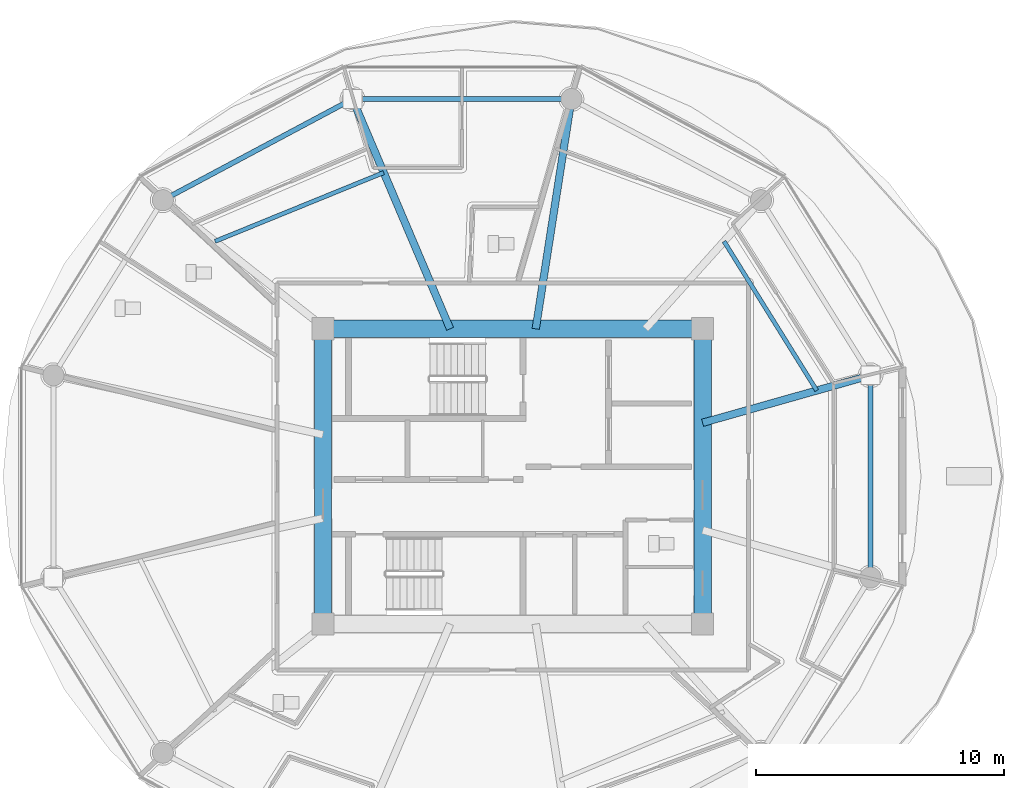
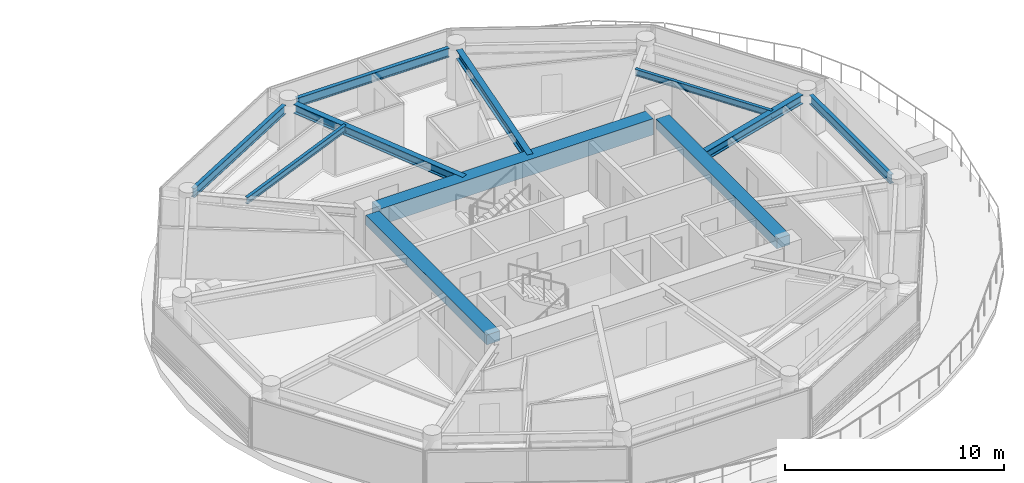
# One storey, part 11 of 32: 11 beams.
"""IFC4 building model written with IfcOpenShell, lengths in metres."""

from ifc_helpers import new_model, si_unit, direction, frame, origin, origin_2d, place, context, subcontext, project, spatial, rectangle, i_section, extrude, source, transform, mapped, material, material_profile, profile_set, type_object, type_shapes, element, save


model = new_model("IFC4")

# Units and contexts
model_context = context("Model", 3, precision=1e-05, world=origin(), true_north=direction((0.0, 1.0)))
body_context = subcontext(model_context, "Body", "Model", "MODEL_VIEW")
ifc_project = project(units=[si_unit("LENGTHUNIT", "METRE"), si_unit("AREAUNIT", "SQUARE_METRE"), si_unit("VOLUMEUNIT", "CUBIC_METRE"), si_unit("PLANEANGLEUNIT", "RADIAN"), si_unit("MASSUNIT", "GRAM", prefix="KILO")], contexts=[model_context])

# Site, building, storey
site_placement = place(None, origin())
site = spatial("IfcSite", under=ifc_project, at=site_placement, CompositionType="ELEMENT")
building_placement = place(site_placement, origin())
building = spatial("IfcBuilding", under=site, at=building_placement, Name="Norrkilde Senior Care Towers", CompositionType="ELEMENT")
storey_placement = place(building_placement, frame((0.0, 0.0, 77.949951171875)))
storey = spatial("IfcBuildingStorey", under=building, at=storey_placement, Name="L23", CompositionType="ELEMENT", Elevation=77.949951171875)

# Beams
ifc_material_1 = material(Name="Concrete C60/75", Category="concrete")
ifc_material_profile_1 = material_profile(ifc_material_1, rectangle(XDim=0.699951171875, YDim=0.89990234375, at=origin_2d()), Name="RC BM 700x900")
ifc_profile_set_1 = profile_set([ifc_material_profile_1], Name="Concrete C60/75")
beam_type_1 = type_object("IfcBeamType", Name="Core Coupling Girder 700x900", PredefinedType="USERDEFINED", material=ifc_profile_set_1)
shared_shape_1 = source(origin(), body_context, "Body", "SweptSolid", [
    extrude(rectangle(XDim=0.699951171875, YDim=0.89990234375, at=origin_2d()), origin(), (0.0, 0.0, 1.0), 14.43994140625),
])
type_shapes(beam_type_1, [shared_shape_1])
beam_1_placement = place(storey_placement, frame((20.780029296875, 5.949951171875, 2.340087890625), z_axis=(1.0, 0.0, 0.0), x_axis=(0.0, 1.0, 0.0)))
element("IfcBeam", 1, at=beam_1_placement, inside=storey, type_object=beam_type_1, Name="L23 Core E N Coupling Girder", ObjectType="GIRDER", PredefinedType="USERDEFINED", context=body_context, shape_type="MappedRepresentation", body=[
    mapped(shared_shape_1, transform((0.0, 0.0, 0.0), x_axis=(1.0, 0.0, 0.0), y_axis=(0.0, 1.0, 0.0), z_axis=(0.0, 0.0, 1.0), scale=1.0)),
])
ifc_material_profile_2 = material_profile(ifc_material_1, rectangle(XDim=0.699951171875, YDim=0.550048828125, at=origin_2d()), Name="RC BM 700x550")
ifc_profile_set_2 = profile_set([ifc_material_profile_2], Name="Concrete C60/75")
beam_type_2 = type_object("IfcBeamType", Name="Core Portal Coupling Beam 700x550", PredefinedType="USERDEFINED", material=ifc_profile_set_2)
shared_shape_2 = source(origin(), body_context, "Body", "SweptSolid", [
    extrude(rectangle(XDim=0.699951171875, YDim=0.550048828125, at=origin_2d()), origin(), (0.0, 0.0, 1.0), 11.0400390625),
])
type_shapes(beam_type_2, [shared_shape_2])
for number, where, z_axis, x_axis, name in (
    (2, (20.35009765625, -5.52001953125, 2.51513671875), (0.0, 1.0, 0.0), (-1.0, 0.0, 0.0), "L23 Core E W Coupling Girder"),
    (3, (35.64990234375, -5.52001953125, 2.51513671875), (0.0, 1.0, 0.0), (-1.0, 0.0, 0.0), "L23 Core E E Coupling Girder"),
):
    element("IfcBeam", number, at=place(storey_placement, frame(where, z_axis=z_axis, x_axis=x_axis)), inside=storey, type_object=beam_type_2, Name=name, ObjectType="GIRDER", PredefinedType="USERDEFINED", context=body_context, shape_type="MappedRepresentation", body=[
        mapped(shared_shape_2, transform((0.0, 0.0, 0.0), x_axis=(1.0, 0.0, 0.0), y_axis=(0.0, 1.0, 0.0), z_axis=(0.0, 0.0, 1.0), scale=1.0)),
    ])
ifc_material_2 = material(Name="Steel S355", Category="steel")
ifc_material_profile_3 = material_profile(ifc_material_2, i_section(OverallWidth=0.199951171875, OverallDepth=0.5, WebThickness=0.01025390625, FlangeThickness=0.01611328125, FilletRadius=0.02099609375, at=origin_2d()), Name="IPE 500")
ifc_profile_set_3 = profile_set([ifc_material_profile_3], Name="Steel S355")
beam_type_3 = type_object("IfcBeamType", Name="Perimeter Ring Spandrel Z2 IPE500", PredefinedType="SPANDREL", material=ifc_profile_set_3)
shared_shape_3 = source(origin(), body_context, "Body", "SweptSolid", [
    extrude(i_section(OverallWidth=0.199951171875, OverallDepth=0.5, WebThickness=0.01025390625, FlangeThickness=0.01611328125, FilletRadius=0.02099609375, at=origin_2d()), origin(), (0.0, 0.0, 1.0), 7.892333984375),
])
beam_2_placement = place(storey_placement, frame((21.197509765625, 15.0322265625, 2.5400390625), z_axis=(-0.882350372282, -0.47059305194, 0.0), x_axis=(0.47059305194, -0.882350372282, 0.0)))
element("IfcBeam", 4, at=beam_2_placement, inside=storey, type_object=beam_type_3, Name="L23 Drum E Perimeter Spandrel 04", PredefinedType="SPANDREL", context=body_context, shape_type="MappedRepresentation", body=[
    mapped(shared_shape_3, transform((0.0, 0.0, 0.0), x_axis=(1.0, 0.0, 0.0), y_axis=(0.0, 1.0, 0.0), z_axis=(0.0, 0.0, 1.0), scale=1.0)),
])
shared_shape_4 = source(origin(), body_context, "Body", "SweptSolid", [
    extrude(i_section(OverallWidth=0.199951171875, OverallDepth=0.5, WebThickness=0.01025390625, FlangeThickness=0.01611328125, FilletRadius=0.02099609375, at=origin_2d()), origin(), (0.0, 0.0, 1.0), 8.0556640625),
])
beam_3_placement = place(storey_placement, frame((29.977783203125, 15.21337890625, 2.5400390625), z_axis=(-1.0, 0.0, 0.0), x_axis=(0.0, -1.0, 0.0)))
element("IfcBeam", 5, at=beam_3_placement, inside=storey, type_object=beam_type_3, Name="L23 Drum E Perimeter Spandrel 03", PredefinedType="SPANDREL", context=body_context, shape_type="MappedRepresentation", body=[
    mapped(shared_shape_4, transform((0.0, 0.0, 0.0), x_axis=(1.0, 0.0, 0.0), y_axis=(0.0, 1.0, 0.0), z_axis=(0.0, 0.0, 1.0), scale=1.0)),
])
ifc_material_profile_4 = material_profile(ifc_material_2, i_section(OverallWidth=0.300048828125, OverallDepth=0.5, WebThickness=0.014404296875, FlangeThickness=0.028076171875, FilletRadius=0.027099609375, at=origin_2d()), Name="HEB 500")
ifc_profile_set_4 = profile_set([ifc_material_profile_4], Name="Steel S355")
beam_type_4 = type_object("IfcBeamType", Name="Radial Floor Beam Z2 HEB500", PredefinedType="BEAM", material=ifc_profile_set_4)
shared_shape_5 = source(origin(), body_context, "Body", "SweptSolid", [
    extrude(i_section(OverallWidth=0.300048828125, OverallDepth=0.5, WebThickness=0.014404296875, FlangeThickness=0.028076171875, FilletRadius=0.027099609375, at=origin_2d()), origin(), (0.0, 0.0, 1.0), 9.679443359375),
])
beam_4_placement = place(storey_placement, frame((25.472412109375, 5.949951171875, 2.5400390625), z_axis=(-0.390998033479, 0.920391513333, 0.0), x_axis=(-0.920391513333, -0.390998033479, 0.0)))
element("IfcBeam", 6, at=beam_4_placement, inside=storey, type_object=beam_type_4, Name="L23 Drum E Radial Floor Beam 04", PredefinedType="BEAM", context=body_context, shape_type="MappedRepresentation", body=[
    mapped(shared_shape_5, transform((0.0, 0.0, 0.0), x_axis=(1.0, 0.0, 0.0), y_axis=(0.0, 1.0, 0.0), z_axis=(0.0, 0.0, 1.0), scale=1.0)),
])
shared_shape_6 = source(origin(), body_context, "Body", "SweptSolid", [
    extrude(i_section(OverallWidth=0.300048828125, OverallDepth=0.5, WebThickness=0.014404296875, FlangeThickness=0.028076171875, FilletRadius=0.027099609375, at=origin_2d()), origin(), (0.0, 0.0, 1.0), 8.989501953125),
])
beam_5_placement = place(storey_placement, frame((28.924072265625, 5.949951171875, 2.5400390625), z_axis=(0.153471298636, 0.988153105796, 0.0), x_axis=(-0.988153105796, 0.153471298636, 0.0)))
element("IfcBeam", 7, at=beam_5_placement, inside=storey, type_object=beam_type_4, Name="L23 Drum E Radial Floor Beam 03", PredefinedType="BEAM", context=body_context, shape_type="MappedRepresentation", body=[
    mapped(shared_shape_6, transform((0.0, 0.0, 0.0), x_axis=(1.0, 0.0, 0.0), y_axis=(0.0, 1.0, 0.0), z_axis=(0.0, 0.0, 1.0), scale=1.0)),
])
shared_shape_7 = source(origin(), body_context, "Body", "SweptSolid", [
    extrude(i_section(OverallWidth=0.199951171875, OverallDepth=0.5, WebThickness=0.01025390625, FlangeThickness=0.01611328125, FilletRadius=0.02099609375, at=origin_2d()), origin(), (0.0, 0.0, 1.0), 7.3828125),
])
type_shapes(beam_type_3, [shared_shape_3, shared_shape_4, shared_shape_7])
beam_6_placement = place(storey_placement, frame((42.4189453125, -3.69140625, 2.5400390625), z_axis=(0.0, 1.0, 0.0), x_axis=(-1.0, 0.0, 0.0)))
element("IfcBeam", 8, at=beam_6_placement, inside=storey, type_object=beam_type_3, Name="L23 Drum E Perimeter Spandrel 12", PredefinedType="SPANDREL", context=body_context, shape_type="MappedRepresentation", body=[
    mapped(shared_shape_7, transform((0.0, 0.0, 0.0), x_axis=(1.0, 0.0, 0.0), y_axis=(0.0, 1.0, 0.0), z_axis=(0.0, 0.0, 1.0), scale=1.0)),
])
shared_shape_8 = source(origin(), body_context, "Body", "SweptSolid", [
    extrude(i_section(OverallWidth=0.300048828125, OverallDepth=0.5, WebThickness=0.014404296875, FlangeThickness=0.028076171875, FilletRadius=0.027099609375, at=origin_2d()), origin(), (0.0, 0.0, 1.0), 6.6494140625),
])
type_shapes(beam_type_4, [shared_shape_5, shared_shape_6, shared_shape_8])
beam_7_placement = place(storey_placement, frame((35.64990234375, 2.162841796875, 2.5400390625), z_axis=(0.962289138357, 0.27202870106, 0.0), x_axis=(-0.27202870106, 0.962289138357, 0.0)))
element("IfcBeam", 9, at=beam_7_placement, inside=storey, type_object=beam_type_4, Name="L23 Drum E Radial Floor Beam 01", PredefinedType="BEAM", context=body_context, shape_type="MappedRepresentation", body=[
    mapped(shared_shape_8, transform((0.0, 0.0, 0.0), x_axis=(1.0, 0.0, 0.0), y_axis=(0.0, 1.0, 0.0), z_axis=(0.0, 0.0, 1.0), scale=1.0)),
])
ifc_material_profile_5 = material_profile(ifc_material_2, i_section(OverallWidth=0.169921875, OverallDepth=0.360107421875, WebThickness=0.008056640625, FlangeThickness=0.0126953125, FilletRadius=0.01806640625, at=origin_2d()), Name="IPE 360")
ifc_profile_set_5 = profile_set([ifc_material_profile_5], Name="Steel S355")
beam_type_5 = type_object("IfcBeamType", Name="Secondary Floor Joist IPE360", PredefinedType="JOIST", material=ifc_profile_set_5)
shared_shape_9 = source(origin(), body_context, "Body", "SweptSolid", [
    extrude(i_section(OverallWidth=0.169921875, OverallDepth=0.360107421875, WebThickness=0.008056640625, FlangeThickness=0.0126953125, FilletRadius=0.01806640625, at=origin_2d()), origin(), (0.0, 0.0, 1.0), 7.343505859375),
])
beam_8_placement = place(storey_placement, frame((22.79638671875, 12.2490234375, 2.610107421875), z_axis=(-0.926021784767, -0.377470070519, 0.0), x_axis=(0.377470070519, -0.926021784767, 0.0)))
element("IfcBeam", 10, at=beam_8_placement, inside=storey, type_object=beam_type_5, Name="L23 Drum E Secondary Floor Joist 2", PredefinedType="JOIST", context=body_context, shape_type="MappedRepresentation", body=[
    mapped(shared_shape_9, transform((0.0, 0.0, 0.0), x_axis=(1.0, 0.0, 0.0), y_axis=(0.0, 1.0, 0.0), z_axis=(0.0, 0.0, 1.0), scale=1.0)),
])
shared_shape_10 = source(origin(), body_context, "Body", "SweptSolid", [
    extrude(i_section(OverallWidth=0.169921875, OverallDepth=0.360107421875, WebThickness=0.008056640625, FlangeThickness=0.0126953125, FilletRadius=0.01806640625, at=origin_2d()), origin(), (0.0, 0.0, 1.0), 7.080078125),
])
type_shapes(beam_type_5, [shared_shape_9, shared_shape_10])
beam_9_placement = place(storey_placement, frame((40.2529296875, 3.464111328125, 2.610107421875), z_axis=(-0.527961009189, 0.849268610497, 0.0), x_axis=(-0.849268610497, -0.527961009189, 0.0)))
element("IfcBeam", 11, at=beam_9_placement, inside=storey, type_object=beam_type_5, Name="L23 Drum E Secondary Floor Joist 1", PredefinedType="JOIST", context=body_context, shape_type="MappedRepresentation", body=[
    mapped(shared_shape_10, transform((0.0, 0.0, 0.0), x_axis=(1.0, 0.0, 0.0), y_axis=(0.0, 1.0, 0.0), z_axis=(0.0, 0.0, 1.0), scale=1.0)),
])

save(model, "model.ifc")
